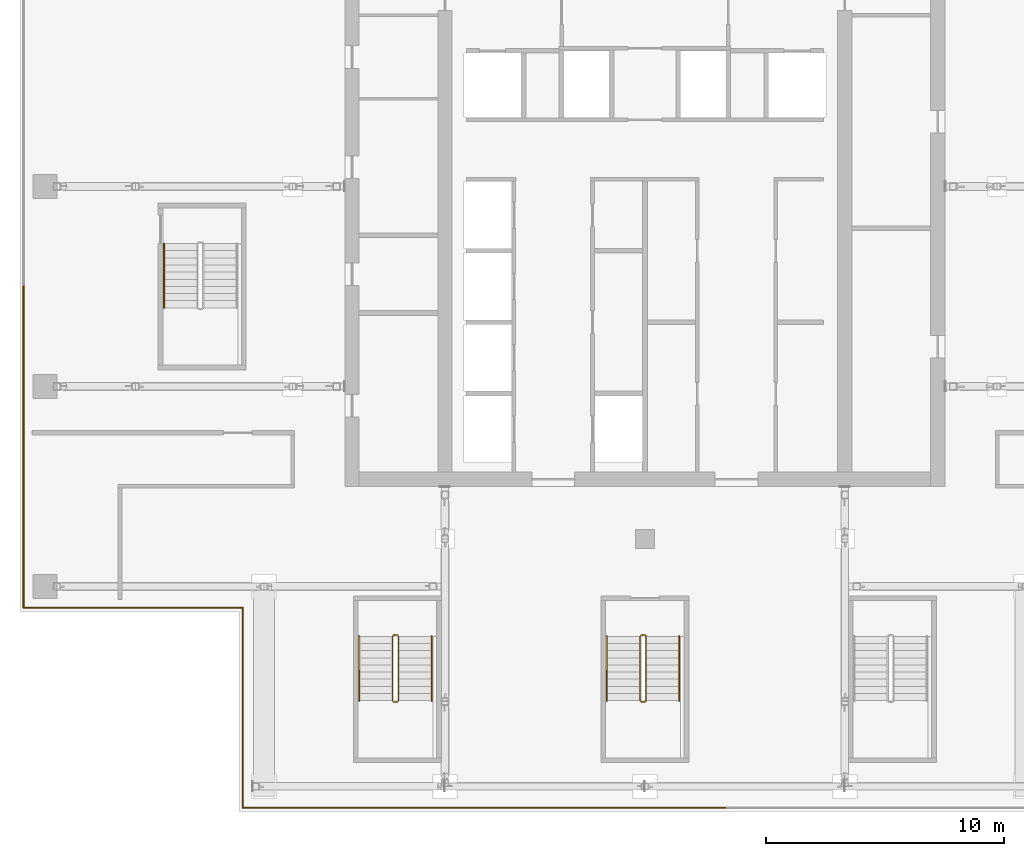
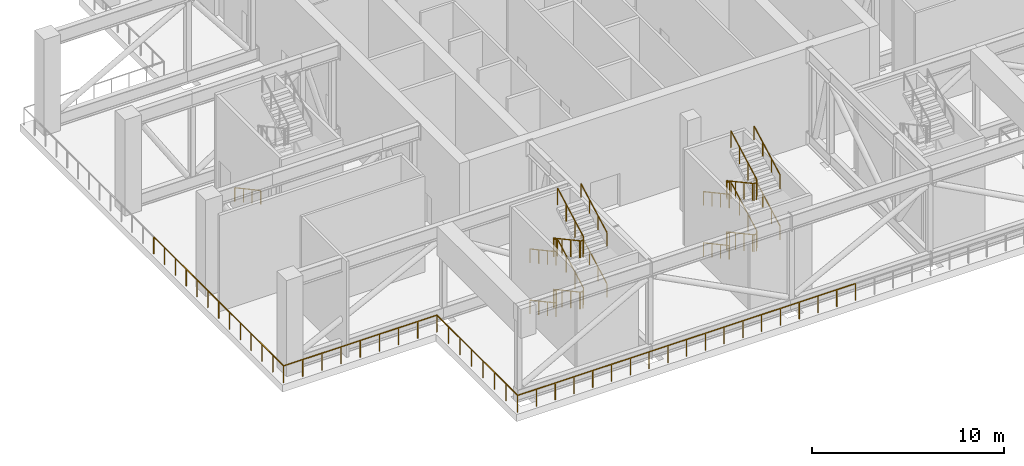
# One storey, part 21 of 24: 19 railings.
"""IFC4 building model written with IfcOpenShell, lengths in metres."""

from ifc_helpers import new_model, si_unit, direction, frame, origin, origin_2d, place, context, subcontext, project, spatial, rectangle, extrude, material, type_object, element, save


model = new_model("IFC4")

# Units and contexts
model_context = context("Model", 3, precision=1e-05, world=origin(), true_north=direction((0.0, 1.0)))
body_context = subcontext(model_context, "Body", "Model", "MODEL_VIEW")
ifc_project = project(units=[si_unit("LENGTHUNIT", "METRE"), si_unit("AREAUNIT", "SQUARE_METRE"), si_unit("VOLUMEUNIT", "CUBIC_METRE"), si_unit("PLANEANGLEUNIT", "RADIAN"), si_unit("MASSUNIT", "GRAM", prefix="KILO")], contexts=[model_context])

# Site, building, storey
site_placement = place(None, origin())
site = spatial("IfcSite", under=ifc_project, at=site_placement, CompositionType="ELEMENT")
building_placement = place(site_placement, origin())
building = spatial("IfcBuilding", under=site, at=building_placement, Name="Vermilion Ogive Tower", CompositionType="ELEMENT")
storey_placement = place(building_placement, frame((0.0, 0.0, 216.949951171875)))
storey = spatial("IfcBuildingStorey", under=building, at=storey_placement, Name="L57", CompositionType="ELEMENT", Elevation=216.949951171875)

# Railings
ifc_material_1 = material(Name="Stainless steel and glass", Category="steel")
railing_type_1 = type_object("IfcRailingType", Name="Edge guard", PredefinedType="GUARDRAIL", material=ifc_material_1)
railing_1_placement = place(storey_placement, frame((-16.89990234375, -21.89990234375, 0.0)))
element("IfcRailing", 1, at=railing_1_placement, inside=storey, type_object=railing_type_1, Name="Open edge guard L57 1.1", PredefinedType="GUARDRAIL", context=body_context, shape_type="SweptSolid", body=[
    extrude(rectangle(XDim=0.048095703125, YDim=0.048095703125, at=origin_2d()), frame((0.0, 0.0, 1.076171875), z_axis=(0.0, 1.0, 0.0), x_axis=(-1.0, 0.0, 0.0)), (0.0, 0.0, 1.0), 8.39990234375),
    extrude(rectangle(XDim=0.0419921875, YDim=0.0419921875, at=origin_2d()), origin(), (0.0, 0.0, 1.0), 1.052001953125),
    extrude(rectangle(XDim=0.0419921875, YDim=0.0419921875, at=origin_2d()), frame((0.0, 1.199951171875, 0.0)), (0.0, 0.0, 1.0), 1.052001953125),
    extrude(rectangle(XDim=0.0419921875, YDim=0.0419921875, at=origin_2d()), frame((0.0, 2.39990234375, 0.0)), (0.0, 0.0, 1.0), 1.052001953125),
    extrude(rectangle(XDim=0.0419921875, YDim=0.0419921875, at=origin_2d()), frame((0.0, 3.599853515625, 0.0)), (0.0, 0.0, 1.0), 1.052001953125),
    extrude(rectangle(XDim=0.0419921875, YDim=0.0419921875, at=origin_2d()), frame((0.0, 4.800048828125, 0.0)), (0.0, 0.0, 1.0), 1.052001953125),
    extrude(rectangle(XDim=0.0419921875, YDim=0.0419921875, at=origin_2d()), frame((0.0, 6.0, 0.0)), (0.0, 0.0, 1.0), 1.052001953125),
    extrude(rectangle(XDim=0.0419921875, YDim=0.0419921875, at=origin_2d()), frame((0.0, 7.199951171875, 0.0)), (0.0, 0.0, 1.0), 1.052001953125),
    extrude(rectangle(XDim=0.0419921875, YDim=0.0419921875, at=origin_2d()), frame((0.0, 8.39990234375, 0.0)), (0.0, 0.0, 1.0), 1.052001953125),
])
for number, where, name in (
    (2, (-16.89990234375, -13.5, 0.0), "Open edge guard L57 2.1"),
    (3, (-21.5, -13.5, 0.0), "Open edge guard L57 2.2"),
):
    element("IfcRailing", number, at=place(storey_placement, frame(where)), inside=storey, type_object=railing_type_1, Name=name, PredefinedType="GUARDRAIL", context=body_context, shape_type="SweptSolid", body=[
        extrude(rectangle(XDim=0.048095703125, YDim=0.048095703125, at=origin_2d()), frame((0.0, 0.0, 1.076171875), z_axis=(-1.0, 0.0, 0.0), x_axis=(0.0, -1.0, 0.0)), (0.0, 0.0, 1.0), 4.60009765625),
        extrude(rectangle(XDim=0.0419921875, YDim=0.0419921875, at=origin_2d()), origin(), (0.0, 0.0, 1.0), 1.052001953125),
        extrude(rectangle(XDim=0.0419921875, YDim=0.0419921875, at=origin_2d()), frame((-1.14990234375, 0.0, 0.0)), (0.0, 0.0, 1.0), 1.052001953125),
        extrude(rectangle(XDim=0.0419921875, YDim=0.0419921875, at=origin_2d()), frame((-2.300048828125, 0.0, 0.0)), (0.0, 0.0, 1.0), 1.052001953125),
        extrude(rectangle(XDim=0.0419921875, YDim=0.0419921875, at=origin_2d()), frame((-3.4501953125, 0.0, 0.0)), (0.0, 0.0, 1.0), 1.052001953125),
        extrude(rectangle(XDim=0.0419921875, YDim=0.0419921875, at=origin_2d()), frame((-4.60009765625, 0.0, 0.0)), (0.0, 0.0, 1.0), 1.052001953125),
    ])
for number, where, name in (
    (4, (-26.10009765625, -13.5, 0.0), "Open edge guard L57 3.1"),
    (5, (-26.10009765625, -6.75, 0.0), "Open edge guard L57 3.2"),
):
    element("IfcRailing", number, at=place(storey_placement, frame(where)), inside=storey, type_object=railing_type_1, Name=name, PredefinedType="GUARDRAIL", context=body_context, shape_type="SweptSolid", body=[
        extrude(rectangle(XDim=0.048095703125, YDim=0.048095703125, at=origin_2d()), frame((0.0, 0.0, 1.076171875), z_axis=(0.0, 1.0, 0.0), x_axis=(-1.0, 0.0, 0.0)), (0.0, 0.0, 1.0), 6.75),
        extrude(rectangle(XDim=0.0419921875, YDim=0.0419921875, at=origin_2d()), origin(), (0.0, 0.0, 1.0), 1.052001953125),
        extrude(rectangle(XDim=0.0419921875, YDim=0.0419921875, at=origin_2d()), frame((0.0, 1.125, 0.0)), (0.0, 0.0, 1.0), 1.052001953125),
        extrude(rectangle(XDim=0.0419921875, YDim=0.0419921875, at=origin_2d()), frame((0.0, 2.25, 0.0)), (0.0, 0.0, 1.0), 1.052001953125),
        extrude(rectangle(XDim=0.0419921875, YDim=0.0419921875, at=origin_2d()), frame((0.0, 3.375, 0.0)), (0.0, 0.0, 1.0), 1.052001953125),
        extrude(rectangle(XDim=0.0419921875, YDim=0.0419921875, at=origin_2d()), frame((0.0, 4.5, 0.0)), (0.0, 0.0, 1.0), 1.052001953125),
        extrude(rectangle(XDim=0.0419921875, YDim=0.0419921875, at=origin_2d()), frame((0.0, 5.625, 0.0)), (0.0, 0.0, 1.0), 1.052001953125),
        extrude(rectangle(XDim=0.0419921875, YDim=0.0419921875, at=origin_2d()), frame((0.0, 6.75, 0.0)), (0.0, 0.0, 1.0), 1.052001953125),
    ])
railing_2_placement = place(storey_placement, frame((3.3798828125, -21.89990234375, 0.0)))
element("IfcRailing", 6, at=railing_2_placement, inside=storey, type_object=railing_type_1, Name="Open edge guard L57 12.3", PredefinedType="GUARDRAIL", context=body_context, shape_type="SweptSolid", body=[
    extrude(rectangle(XDim=0.048095703125, YDim=0.048095703125, at=origin_2d()), frame((0.0, 0.0, 1.076171875), z_axis=(-1.0, 0.0, 0.0), x_axis=(0.0, -1.0, 0.0)), (0.0, 0.0, 1.0), 6.759765625),
    extrude(rectangle(XDim=0.0419921875, YDim=0.0419921875, at=origin_2d()), origin(), (0.0, 0.0, 1.0), 1.052001953125),
    extrude(rectangle(XDim=0.0419921875, YDim=0.0419921875, at=origin_2d()), frame((-1.126708984375, 0.0, 0.0)), (0.0, 0.0, 1.0), 1.052001953125),
    extrude(rectangle(XDim=0.0419921875, YDim=0.0419921875, at=origin_2d()), frame((-2.253173828125, 0.0, 0.0)), (0.0, 0.0, 1.0), 1.052001953125),
    extrude(rectangle(XDim=0.0419921875, YDim=0.0419921875, at=origin_2d()), frame((-3.3798828125, 0.0, 0.0)), (0.0, 0.0, 1.0), 1.052001953125),
    extrude(rectangle(XDim=0.0419921875, YDim=0.0419921875, at=origin_2d()), frame((-4.506591796875, 0.0, 0.0)), (0.0, 0.0, 1.0), 1.052001953125),
    extrude(rectangle(XDim=0.0419921875, YDim=0.0419921875, at=origin_2d()), frame((-5.633056640625, 0.0, 0.0)), (0.0, 0.0, 1.0), 1.052001953125),
    extrude(rectangle(XDim=0.0419921875, YDim=0.0419921875, at=origin_2d()), frame((-6.759765625, 0.0, 0.0)), (0.0, 0.0, 1.0), 1.052001953125),
])
for number, where, name in (
    (7, (-3.3798828125, -21.89990234375, 0.0), "Open edge guard L57 12.4"),
    (8, (-10.139892578125, -21.89990234375, 0.0), "Open edge guard L57 12.5"),
):
    element("IfcRailing", number, at=place(storey_placement, frame(where)), inside=storey, type_object=railing_type_1, Name=name, PredefinedType="GUARDRAIL", context=body_context, shape_type="SweptSolid", body=[
        extrude(rectangle(XDim=0.048095703125, YDim=0.048095703125, at=origin_2d()), frame((0.0, 0.0, 1.076171875), z_axis=(-1.0, 0.0, 0.0), x_axis=(0.0, -1.0, 0.0)), (0.0, 0.0, 1.0), 6.760009765625),
        extrude(rectangle(XDim=0.0419921875, YDim=0.0419921875, at=origin_2d()), origin(), (0.0, 0.0, 1.0), 1.052001953125),
        extrude(rectangle(XDim=0.0419921875, YDim=0.0419921875, at=origin_2d()), frame((-1.126708984375, 0.0, 0.0)), (0.0, 0.0, 1.0), 1.052001953125),
        extrude(rectangle(XDim=0.0419921875, YDim=0.0419921875, at=origin_2d()), frame((-2.25341796875, 0.0, 0.0)), (0.0, 0.0, 1.0), 1.052001953125),
        extrude(rectangle(XDim=0.0419921875, YDim=0.0419921875, at=origin_2d()), frame((-3.3798828125, 0.0, 0.0)), (0.0, 0.0, 1.0), 1.052001953125),
        extrude(rectangle(XDim=0.0419921875, YDim=0.0419921875, at=origin_2d()), frame((-4.506591796875, 0.0, 0.0)), (0.0, 0.0, 1.0), 1.052001953125),
        extrude(rectangle(XDim=0.0419921875, YDim=0.0419921875, at=origin_2d()), frame((-5.63330078125, 0.0, 0.0)), (0.0, 0.0, 1.0), 1.052001953125),
        extrude(rectangle(XDim=0.0419921875, YDim=0.0419921875, at=origin_2d()), frame((-6.760009765625, 0.0, 0.0)), (0.0, 0.0, 1.0), 1.052001953125),
    ])
ifc_material_2 = material(Name="Steel S355 painted", Category="steel")
railing_type_2 = type_object("IfcRailingType", Name="Stair guard 1100", PredefinedType="GUARDRAIL", material=ifc_material_2)
railing_3_placement = place(storey_placement, frame((-10.39990234375, -14.64990234375, 0.0)))
element("IfcRailing", 9, at=railing_3_placement, inside=storey, type_object=railing_type_2, Name="L57 ST3 stair guard 8", PredefinedType="GUARDRAIL", context=body_context, shape_type="SweptSolid", body=[
    extrude(rectangle(XDim=0.048095703125, YDim=0.048095703125, at=origin_2d()), frame((0.0, 0.0, 1.076171875), z_axis=(-1.0, 0.0, 0.0), x_axis=(0.0, -1.0, 0.0)), (0.0, 0.0, 1.0), 0.150146484375),
    extrude(rectangle(XDim=0.048095703125, YDim=0.048095703125, at=origin_2d()), frame((-0.150146484375, 0.0, 1.076171875), z_axis=(-0.282227285176, -0.282227285176, 0.916894497205), x_axis=(0.707106781187, -0.707106781187, 0.0)), (0.0, 0.0, 1.0), 0.17724609375),
    extrude(rectangle(XDim=0.048095703125, YDim=0.048095703125, at=origin_2d()), frame((-0.2001953125, -0.050048828125, 1.23876953125), z_axis=(0.0, -0.87930167832, 0.476265218658), x_axis=(1.0, 0.0, 0.0)), (0.0, 0.0, 1.0), 3.070556640625),
    extrude(rectangle(XDim=0.048095703125, YDim=0.048095703125, at=origin_2d()), frame((-0.2001953125, -2.75, 2.701171875), z_axis=(0.707106781187, -0.707106781187, 0.0), x_axis=(0.707106781187, 0.707106781187, 0.0)), (0.0, 0.0, 1.0), 0.07080078125),
    extrude(rectangle(XDim=0.048095703125, YDim=0.048095703125, at=origin_2d()), frame((-0.150146484375, -2.800048828125, 2.701171875), z_axis=(1.0, 0.0, 0.0), x_axis=(0.0, 1.0, 0.0)), (0.0, 0.0, 1.0), 0.150146484375),
    extrude(rectangle(XDim=0.048095703125, YDim=0.048095703125, at=origin_2d()), frame((0.0, -2.800048828125, 2.701171875), z_axis=(0.280959487676, 0.282336740067, 0.917250092119), x_axis=(-0.708833529934, 0.705375805398, 0.0)), (0.0, 0.0, 1.0), 0.17724609375),
    extrude(rectangle(XDim=0.048095703125, YDim=0.048095703125, at=origin_2d()), frame((0.0498046875, -2.75, 2.86376953125), z_axis=(0.0, 0.87930167832, 0.476265218658), x_axis=(-1.0, 0.0, 0.0)), (0.0, 0.0, 1.0), 3.070556640625),
    extrude(rectangle(XDim=0.048095703125, YDim=0.048095703125, at=origin_2d()), frame((0.0498046875, -0.050048828125, 4.326171875), z_axis=(-0.705375805398, 0.708833529934, 0.0), x_axis=(-0.708833529934, -0.705375805398, 0.0)), (0.0, 0.0, 1.0), 0.070556640625),
    extrude(rectangle(XDim=0.048095703125, YDim=0.048095703125, at=origin_2d()), frame((0.0, 0.0, 4.326171875), z_axis=(-1.0, 0.0, 0.0), x_axis=(0.0, -1.0, 0.0)), (0.0, 0.0, 1.0), 0.150146484375),
    extrude(rectangle(XDim=0.048095703125, YDim=0.048095703125, at=origin_2d()), frame((-0.150146484375, 0.0, 4.326171875), z_axis=(-0.282227285176, -0.282227285176, 0.916894497205), x_axis=(0.707106781187, -0.707106781187, 0.0)), (0.0, 0.0, 1.0), 0.17724609375),
    extrude(rectangle(XDim=0.048095703125, YDim=0.048095703125, at=origin_2d()), frame((-0.2001953125, -0.050048828125, 4.48876953125), z_axis=(0.0, -0.87930167832, 0.476265218658), x_axis=(1.0, 0.0, 0.0)), (0.0, 0.0, 1.0), 3.070556640625),
    extrude(rectangle(XDim=0.048095703125, YDim=0.048095703125, at=origin_2d()), frame((-0.2001953125, -2.75, 5.951171875), z_axis=(0.707106781187, -0.707106781187, 0.0), x_axis=(0.707106781187, 0.707106781187, 0.0)), (0.0, 0.0, 1.0), 0.07080078125),
    extrude(rectangle(XDim=0.048095703125, YDim=0.048095703125, at=origin_2d()), frame((-0.150146484375, -2.800048828125, 5.951171875), z_axis=(1.0, 0.0, 0.0), x_axis=(0.0, 1.0, 0.0)), (0.0, 0.0, 1.0), 0.150146484375),
    extrude(rectangle(XDim=0.048095703125, YDim=0.048095703125, at=origin_2d()), frame((0.0, -2.800048828125, 5.951171875), z_axis=(0.280959487676, 0.282336740067, 0.917250092119), x_axis=(-0.708833529934, 0.705375805398, 0.0)), (0.0, 0.0, 1.0), 0.17724609375),
    extrude(rectangle(XDim=0.048095703125, YDim=0.048095703125, at=origin_2d()), frame((0.0498046875, -2.75, 6.11376953125), z_axis=(0.0, 0.87930167832, 0.476265218658), x_axis=(-1.0, 0.0, 0.0)), (0.0, 0.0, 1.0), 3.070556640625),
    extrude(rectangle(XDim=0.0419921875, YDim=0.0419921875, at=origin_2d()), origin(), (0.0, 0.0, 1.0), 1.052001953125),
    extrude(rectangle(XDim=0.0419921875, YDim=0.0419921875, at=origin_2d()), frame((-0.150146484375, 0.0, 0.0)), (0.0, 0.0, 1.0), 1.052001953125),
    extrude(rectangle(XDim=0.0419921875, YDim=0.0419921875, at=origin_2d()), frame((-0.2001953125, -0.050048828125, 0.16259765625)), (0.0, 0.0, 1.0), 1.052001953125),
    extrude(rectangle(XDim=0.0419921875, YDim=0.0419921875, at=origin_2d()), frame((-0.2001953125, -0.949951171875, 0.650146484375)), (0.0, 0.0, 1.0), 1.052001953125),
    extrude(rectangle(XDim=0.0419921875, YDim=0.0419921875, at=origin_2d()), frame((-0.2001953125, -1.85009765625, 1.137451171875)), (0.0, 0.0, 1.0), 1.052001953125),
    extrude(rectangle(XDim=0.0419921875, YDim=0.0419921875, at=origin_2d()), frame((-0.2001953125, -2.75, 1.625)), (0.0, 0.0, 1.0), 1.052001953125),
    extrude(rectangle(XDim=0.0419921875, YDim=0.0419921875, at=origin_2d()), frame((-0.150146484375, -2.800048828125, 1.625)), (0.0, 0.0, 1.0), 1.052001953125),
    extrude(rectangle(XDim=0.0419921875, YDim=0.0419921875, at=origin_2d()), frame((0.0, -2.800048828125, 1.625)), (0.0, 0.0, 1.0), 1.052001953125),
    extrude(rectangle(XDim=0.0419921875, YDim=0.0419921875, at=origin_2d()), frame((0.0498046875, -2.75, 1.78759765625)), (0.0, 0.0, 1.0), 1.052001953125),
    extrude(rectangle(XDim=0.0419921875, YDim=0.0419921875, at=origin_2d()), frame((0.0498046875, -1.85009765625, 2.275146484375)), (0.0, 0.0, 1.0), 1.052001953125),
    extrude(rectangle(XDim=0.0419921875, YDim=0.0419921875, at=origin_2d()), frame((0.0498046875, -0.949951171875, 2.762451171875)), (0.0, 0.0, 1.0), 1.052001953125),
    extrude(rectangle(XDim=0.0419921875, YDim=0.0419921875, at=origin_2d()), frame((0.0498046875, -0.050048828125, 3.25)), (0.0, 0.0, 1.0), 1.052001953125),
    extrude(rectangle(XDim=0.0419921875, YDim=0.0419921875, at=origin_2d()), frame((0.0, 0.0, 3.25)), (0.0, 0.0, 1.0), 1.052001953125),
    extrude(rectangle(XDim=0.0419921875, YDim=0.0419921875, at=origin_2d()), frame((-0.150146484375, 0.0, 3.25)), (0.0, 0.0, 1.0), 1.052001953125),
    extrude(rectangle(XDim=0.0419921875, YDim=0.0419921875, at=origin_2d()), frame((-0.2001953125, -0.050048828125, 3.41259765625)), (0.0, 0.0, 1.0), 1.052001953125),
    extrude(rectangle(XDim=0.0419921875, YDim=0.0419921875, at=origin_2d()), frame((-0.2001953125, -0.949951171875, 3.900146484375)), (0.0, 0.0, 1.0), 1.052001953125),
    extrude(rectangle(XDim=0.0419921875, YDim=0.0419921875, at=origin_2d()), frame((-0.2001953125, -1.85009765625, 4.387451171875)), (0.0, 0.0, 1.0), 1.052001953125),
    extrude(rectangle(XDim=0.0419921875, YDim=0.0419921875, at=origin_2d()), frame((-0.2001953125, -2.75, 4.875)), (0.0, 0.0, 1.0), 1.052001953125),
    extrude(rectangle(XDim=0.0419921875, YDim=0.0419921875, at=origin_2d()), frame((-0.150146484375, -2.800048828125, 4.875)), (0.0, 0.0, 1.0), 1.052001953125),
    extrude(rectangle(XDim=0.0419921875, YDim=0.0419921875, at=origin_2d()), frame((0.0, -2.800048828125, 4.875)), (0.0, 0.0, 1.0), 1.052001953125),
    extrude(rectangle(XDim=0.0419921875, YDim=0.0419921875, at=origin_2d()), frame((0.0498046875, -2.75, 5.03759765625)), (0.0, 0.0, 1.0), 1.052001953125),
    extrude(rectangle(XDim=0.0419921875, YDim=0.0419921875, at=origin_2d()), frame((0.0498046875, -1.85009765625, 5.525146484375)), (0.0, 0.0, 1.0), 1.052001953125),
    extrude(rectangle(XDim=0.0419921875, YDim=0.0419921875, at=origin_2d()), frame((0.0498046875, -0.949951171875, 6.012451171875)), (0.0, 0.0, 1.0), 1.052001953125),
    extrude(rectangle(XDim=0.0419921875, YDim=0.0419921875, at=origin_2d()), frame((0.0498046875, -0.050048828125, 6.5)), (0.0, 0.0, 1.0), 1.052001953125),
])
railing_4_placement = place(storey_placement, frame((0.0, -14.64990234375, 0.0)))
element("IfcRailing", 10, at=railing_4_placement, inside=storey, type_object=railing_type_2, Name="L57 ST4 stair guard 8", PredefinedType="GUARDRAIL", context=body_context, shape_type="SweptSolid", body=[
    extrude(rectangle(XDim=0.048095703125, YDim=0.048095703125, at=origin_2d()), frame((0.0, 0.0, 1.076171875), z_axis=(-1.0, 0.0, 0.0), x_axis=(0.0, -1.0, 0.0)), (0.0, 0.0, 1.0), 0.14990234375),
    extrude(rectangle(XDim=0.048095703125, YDim=0.048095703125, at=origin_2d()), frame((-0.14990234375, 0.0, 1.076171875), z_axis=(-0.282227285176, -0.282227285176, 0.916894497205), x_axis=(0.707106781187, -0.707106781187, 0.0)), (0.0, 0.0, 1.0), 0.17724609375),
    extrude(rectangle(XDim=0.048095703125, YDim=0.048095703125, at=origin_2d()), frame((-0.199951171875, -0.050048828125, 1.23876953125), z_axis=(0.0, -0.87930167832, 0.476265218658), x_axis=(1.0, 0.0, 0.0)), (0.0, 0.0, 1.0), 3.070556640625),
    extrude(rectangle(XDim=0.048095703125, YDim=0.048095703125, at=origin_2d()), frame((-0.199951171875, -2.75, 2.701171875), z_axis=(0.707106781187, -0.707106781187, 0.0), x_axis=(0.707106781187, 0.707106781187, 0.0)), (0.0, 0.0, 1.0), 0.07080078125),
    extrude(rectangle(XDim=0.048095703125, YDim=0.048095703125, at=origin_2d()), frame((-0.14990234375, -2.800048828125, 2.701171875), z_axis=(1.0, 0.0, 0.0), x_axis=(0.0, 1.0, 0.0)), (0.0, 0.0, 1.0), 0.14990234375),
    extrude(rectangle(XDim=0.048095703125, YDim=0.048095703125, at=origin_2d()), frame((0.0, -2.800048828125, 2.701171875), z_axis=(0.282227285176, 0.282227285176, 0.916894497205), x_axis=(-0.707106781187, 0.707106781187, 0.0)), (0.0, 0.0, 1.0), 0.17724609375),
    extrude(rectangle(XDim=0.048095703125, YDim=0.048095703125, at=origin_2d()), frame((0.050048828125, -2.75, 2.86376953125), z_axis=(0.0, 0.87930167832, 0.476265218658), x_axis=(-1.0, 0.0, 0.0)), (0.0, 0.0, 1.0), 3.070556640625),
    extrude(rectangle(XDim=0.048095703125, YDim=0.048095703125, at=origin_2d()), frame((0.050048828125, -0.050048828125, 4.326171875), z_axis=(-0.707106781187, 0.707106781187, 0.0), x_axis=(-0.707106781187, -0.707106781187, 0.0)), (0.0, 0.0, 1.0), 0.07080078125),
    extrude(rectangle(XDim=0.048095703125, YDim=0.048095703125, at=origin_2d()), frame((0.0, 0.0, 4.326171875), z_axis=(-1.0, 0.0, 0.0), x_axis=(0.0, -1.0, 0.0)), (0.0, 0.0, 1.0), 0.14990234375),
    extrude(rectangle(XDim=0.048095703125, YDim=0.048095703125, at=origin_2d()), frame((-0.14990234375, 0.0, 4.326171875), z_axis=(-0.282227285176, -0.282227285176, 0.916894497205), x_axis=(0.707106781187, -0.707106781187, 0.0)), (0.0, 0.0, 1.0), 0.17724609375),
    extrude(rectangle(XDim=0.048095703125, YDim=0.048095703125, at=origin_2d()), frame((-0.199951171875, -0.050048828125, 4.48876953125), z_axis=(0.0, -0.87930167832, 0.476265218658), x_axis=(1.0, 0.0, 0.0)), (0.0, 0.0, 1.0), 3.070556640625),
    extrude(rectangle(XDim=0.048095703125, YDim=0.048095703125, at=origin_2d()), frame((-0.199951171875, -2.75, 5.951171875), z_axis=(0.707106781187, -0.707106781187, 0.0), x_axis=(0.707106781187, 0.707106781187, 0.0)), (0.0, 0.0, 1.0), 0.07080078125),
    extrude(rectangle(XDim=0.048095703125, YDim=0.048095703125, at=origin_2d()), frame((-0.14990234375, -2.800048828125, 5.951171875), z_axis=(1.0, 0.0, 0.0), x_axis=(0.0, 1.0, 0.0)), (0.0, 0.0, 1.0), 0.14990234375),
    extrude(rectangle(XDim=0.048095703125, YDim=0.048095703125, at=origin_2d()), frame((0.0, -2.800048828125, 5.951171875), z_axis=(0.282227285176, 0.282227285176, 0.916894497205), x_axis=(-0.707106781187, 0.707106781187, 0.0)), (0.0, 0.0, 1.0), 0.17724609375),
    extrude(rectangle(XDim=0.048095703125, YDim=0.048095703125, at=origin_2d()), frame((0.050048828125, -2.75, 6.11376953125), z_axis=(0.0, 0.87930167832, 0.476265218658), x_axis=(-1.0, 0.0, 0.0)), (0.0, 0.0, 1.0), 3.070556640625),
    extrude(rectangle(XDim=0.0419921875, YDim=0.0419921875, at=origin_2d()), origin(), (0.0, 0.0, 1.0), 1.052001953125),
    extrude(rectangle(XDim=0.0419921875, YDim=0.0419921875, at=origin_2d()), frame((-0.14990234375, 0.0, 0.0)), (0.0, 0.0, 1.0), 1.052001953125),
    extrude(rectangle(XDim=0.0419921875, YDim=0.0419921875, at=origin_2d()), frame((-0.199951171875, -0.050048828125, 0.16259765625)), (0.0, 0.0, 1.0), 1.052001953125),
    extrude(rectangle(XDim=0.0419921875, YDim=0.0419921875, at=origin_2d()), frame((-0.199951171875, -0.949951171875, 0.650146484375)), (0.0, 0.0, 1.0), 1.052001953125),
    extrude(rectangle(XDim=0.0419921875, YDim=0.0419921875, at=origin_2d()), frame((-0.199951171875, -1.85009765625, 1.137451171875)), (0.0, 0.0, 1.0), 1.052001953125),
    extrude(rectangle(XDim=0.0419921875, YDim=0.0419921875, at=origin_2d()), frame((-0.199951171875, -2.75, 1.625)), (0.0, 0.0, 1.0), 1.052001953125),
    extrude(rectangle(XDim=0.0419921875, YDim=0.0419921875, at=origin_2d()), frame((-0.14990234375, -2.800048828125, 1.625)), (0.0, 0.0, 1.0), 1.052001953125),
    extrude(rectangle(XDim=0.0419921875, YDim=0.0419921875, at=origin_2d()), frame((0.0, -2.800048828125, 1.625)), (0.0, 0.0, 1.0), 1.052001953125),
    extrude(rectangle(XDim=0.0419921875, YDim=0.0419921875, at=origin_2d()), frame((0.050048828125, -2.75, 1.78759765625)), (0.0, 0.0, 1.0), 1.052001953125),
    extrude(rectangle(XDim=0.0419921875, YDim=0.0419921875, at=origin_2d()), frame((0.050048828125, -1.85009765625, 2.275146484375)), (0.0, 0.0, 1.0), 1.052001953125),
    extrude(rectangle(XDim=0.0419921875, YDim=0.0419921875, at=origin_2d()), frame((0.050048828125, -0.949951171875, 2.762451171875)), (0.0, 0.0, 1.0), 1.052001953125),
    extrude(rectangle(XDim=0.0419921875, YDim=0.0419921875, at=origin_2d()), frame((0.050048828125, -0.050048828125, 3.25)), (0.0, 0.0, 1.0), 1.052001953125),
    extrude(rectangle(XDim=0.0419921875, YDim=0.0419921875, at=origin_2d()), frame((0.0, 0.0, 3.25)), (0.0, 0.0, 1.0), 1.052001953125),
    extrude(rectangle(XDim=0.0419921875, YDim=0.0419921875, at=origin_2d()), frame((-0.14990234375, 0.0, 3.25)), (0.0, 0.0, 1.0), 1.052001953125),
    extrude(rectangle(XDim=0.0419921875, YDim=0.0419921875, at=origin_2d()), frame((-0.199951171875, -0.050048828125, 3.41259765625)), (0.0, 0.0, 1.0), 1.052001953125),
    extrude(rectangle(XDim=0.0419921875, YDim=0.0419921875, at=origin_2d()), frame((-0.199951171875, -0.949951171875, 3.900146484375)), (0.0, 0.0, 1.0), 1.052001953125),
    extrude(rectangle(XDim=0.0419921875, YDim=0.0419921875, at=origin_2d()), frame((-0.199951171875, -1.85009765625, 4.387451171875)), (0.0, 0.0, 1.0), 1.052001953125),
    extrude(rectangle(XDim=0.0419921875, YDim=0.0419921875, at=origin_2d()), frame((-0.199951171875, -2.75, 4.875)), (0.0, 0.0, 1.0), 1.052001953125),
    extrude(rectangle(XDim=0.0419921875, YDim=0.0419921875, at=origin_2d()), frame((-0.14990234375, -2.800048828125, 4.875)), (0.0, 0.0, 1.0), 1.052001953125),
    extrude(rectangle(XDim=0.0419921875, YDim=0.0419921875, at=origin_2d()), frame((0.0, -2.800048828125, 4.875)), (0.0, 0.0, 1.0), 1.052001953125),
    extrude(rectangle(XDim=0.0419921875, YDim=0.0419921875, at=origin_2d()), frame((0.050048828125, -2.75, 5.03759765625)), (0.0, 0.0, 1.0), 1.052001953125),
    extrude(rectangle(XDim=0.0419921875, YDim=0.0419921875, at=origin_2d()), frame((0.050048828125, -1.85009765625, 5.525146484375)), (0.0, 0.0, 1.0), 1.052001953125),
    extrude(rectangle(XDim=0.0419921875, YDim=0.0419921875, at=origin_2d()), frame((0.050048828125, -0.949951171875, 6.012451171875)), (0.0, 0.0, 1.0), 1.052001953125),
    extrude(rectangle(XDim=0.0419921875, YDim=0.0419921875, at=origin_2d()), frame((0.050048828125, -0.050048828125, 6.5)), (0.0, 0.0, 1.0), 1.052001953125),
])
ifc_material_3 = material(Name="Stainless steel", Category="steel")
railing_type_3 = type_object("IfcRailingType", Name="Stair handrail 900", PredefinedType="HANDRAIL", material=ifc_material_3)
railing_5_placement = place(storey_placement, frame((-12.0, -14.699951171875, 0.16259765625)))
element("IfcRailing", 11, at=railing_5_placement, inside=storey, type_object=railing_type_3, Name="L57 ST3 stair handrail 1", PredefinedType="HANDRAIL", context=body_context, shape_type="SweptSolid", body=[
    extrude(rectangle(XDim=0.048095703125, YDim=0.048095703125, at=origin_2d()), frame((0.0, 0.0, 0.8759765625), z_axis=(0.0, -0.87930167832, 0.476265218658), x_axis=(1.0, 0.0, 0.0)), (0.0, 0.0, 1.0), 3.070556640625),
    extrude(rectangle(XDim=0.0419921875, YDim=0.0419921875, at=origin_2d()), origin(), (0.0, 0.0, 1.0), 0.851806640625),
    extrude(rectangle(XDim=0.0419921875, YDim=0.0419921875, at=origin_2d()), frame((0.0, -0.89990234375, 0.487548828125)), (0.0, 0.0, 1.0), 0.851806640625),
    extrude(rectangle(XDim=0.0419921875, YDim=0.0419921875, at=origin_2d()), frame((0.0, -1.800048828125, 0.974853515625)), (0.0, 0.0, 1.0), 0.851806640625),
    extrude(rectangle(XDim=0.0419921875, YDim=0.0419921875, at=origin_2d()), frame((0.0, -2.699951171875, 1.46240234375)), (0.0, 0.0, 1.0), 0.851806640625),
])
railing_6_placement = place(storey_placement, frame((-8.949951171875, -17.39990234375, 1.78759765625)))
element("IfcRailing", 12, at=railing_6_placement, inside=storey, type_object=railing_type_3, Name="L57 ST3 stair handrail 2", PredefinedType="HANDRAIL", context=body_context, shape_type="SweptSolid", body=[
    extrude(rectangle(XDim=0.048095703125, YDim=0.048095703125, at=origin_2d()), frame((0.0, 0.0, 0.8759765625), z_axis=(0.0, 0.87930167832, 0.476265218658), x_axis=(-1.0, 0.0, 0.0)), (0.0, 0.0, 1.0), 3.070556640625),
    extrude(rectangle(XDim=0.0419921875, YDim=0.0419921875, at=origin_2d()), origin(), (0.0, 0.0, 1.0), 0.851806640625),
    extrude(rectangle(XDim=0.0419921875, YDim=0.0419921875, at=origin_2d()), frame((0.0, 0.89990234375, 0.487548828125)), (0.0, 0.0, 1.0), 0.851806640625),
    extrude(rectangle(XDim=0.0419921875, YDim=0.0419921875, at=origin_2d()), frame((0.0, 1.800048828125, 0.974853515625)), (0.0, 0.0, 1.0), 0.851806640625),
    extrude(rectangle(XDim=0.0419921875, YDim=0.0419921875, at=origin_2d()), frame((0.0, 2.699951171875, 1.46240234375)), (0.0, 0.0, 1.0), 0.851806640625),
])
railing_7_placement = place(storey_placement, frame((-12.0, -14.699951171875, 3.41259765625)))
element("IfcRailing", 13, at=railing_7_placement, inside=storey, type_object=railing_type_3, Name="L57 ST3 stair handrail 3", PredefinedType="HANDRAIL", context=body_context, shape_type="SweptSolid", body=[
    extrude(rectangle(XDim=0.048095703125, YDim=0.048095703125, at=origin_2d()), frame((0.0, 0.0, 0.8759765625), z_axis=(0.0, -0.87930167832, 0.476265218658), x_axis=(1.0, 0.0, 0.0)), (0.0, 0.0, 1.0), 3.070556640625),
    extrude(rectangle(XDim=0.0419921875, YDim=0.0419921875, at=origin_2d()), origin(), (0.0, 0.0, 1.0), 0.851806640625),
    extrude(rectangle(XDim=0.0419921875, YDim=0.0419921875, at=origin_2d()), frame((0.0, -0.89990234375, 0.487548828125)), (0.0, 0.0, 1.0), 0.851806640625),
    extrude(rectangle(XDim=0.0419921875, YDim=0.0419921875, at=origin_2d()), frame((0.0, -1.800048828125, 0.974853515625)), (0.0, 0.0, 1.0), 0.851806640625),
    extrude(rectangle(XDim=0.0419921875, YDim=0.0419921875, at=origin_2d()), frame((0.0, -2.699951171875, 1.46240234375)), (0.0, 0.0, 1.0), 0.851806640625),
])
railing_8_placement = place(storey_placement, frame((-8.949951171875, -17.39990234375, 5.03759765625)))
element("IfcRailing", 14, at=railing_8_placement, inside=storey, type_object=railing_type_3, Name="L57 ST3 stair handrail 4", PredefinedType="HANDRAIL", context=body_context, shape_type="SweptSolid", body=[
    extrude(rectangle(XDim=0.048095703125, YDim=0.048095703125, at=origin_2d()), frame((0.0, 0.0, 0.8759765625), z_axis=(0.0, 0.87930167832, 0.476265218658), x_axis=(-1.0, 0.0, 0.0)), (0.0, 0.0, 1.0), 3.070556640625),
    extrude(rectangle(XDim=0.0419921875, YDim=0.0419921875, at=origin_2d()), origin(), (0.0, 0.0, 1.0), 0.851806640625),
    extrude(rectangle(XDim=0.0419921875, YDim=0.0419921875, at=origin_2d()), frame((0.0, 0.89990234375, 0.487548828125)), (0.0, 0.0, 1.0), 0.851806640625),
    extrude(rectangle(XDim=0.0419921875, YDim=0.0419921875, at=origin_2d()), frame((0.0, 1.800048828125, 0.974853515625)), (0.0, 0.0, 1.0), 0.851806640625),
    extrude(rectangle(XDim=0.0419921875, YDim=0.0419921875, at=origin_2d()), frame((0.0, 2.699951171875, 1.46240234375)), (0.0, 0.0, 1.0), 0.851806640625),
])
railing_9_placement = place(storey_placement, frame((-1.60009765625, -14.699951171875, 0.16259765625)))
element("IfcRailing", 15, at=railing_9_placement, inside=storey, type_object=railing_type_3, Name="L57 ST4 stair handrail 1", PredefinedType="HANDRAIL", context=body_context, shape_type="SweptSolid", body=[
    extrude(rectangle(XDim=0.048095703125, YDim=0.048095703125, at=origin_2d()), frame((0.0, 0.0, 0.8759765625), z_axis=(0.0, -0.87930167832, 0.476265218658), x_axis=(1.0, 0.0, 0.0)), (0.0, 0.0, 1.0), 3.070556640625),
    extrude(rectangle(XDim=0.0419921875, YDim=0.0419921875, at=origin_2d()), origin(), (0.0, 0.0, 1.0), 0.851806640625),
    extrude(rectangle(XDim=0.0419921875, YDim=0.0419921875, at=origin_2d()), frame((0.0, -0.89990234375, 0.487548828125)), (0.0, 0.0, 1.0), 0.851806640625),
    extrude(rectangle(XDim=0.0419921875, YDim=0.0419921875, at=origin_2d()), frame((0.0, -1.800048828125, 0.974853515625)), (0.0, 0.0, 1.0), 0.851806640625),
    extrude(rectangle(XDim=0.0419921875, YDim=0.0419921875, at=origin_2d()), frame((0.0, -2.699951171875, 1.46240234375)), (0.0, 0.0, 1.0), 0.851806640625),
])
railing_10_placement = place(storey_placement, frame((1.449951171875, -17.39990234375, 1.78759765625)))
element("IfcRailing", 16, at=railing_10_placement, inside=storey, type_object=railing_type_3, Name="L57 ST4 stair handrail 2", PredefinedType="HANDRAIL", context=body_context, shape_type="SweptSolid", body=[
    extrude(rectangle(XDim=0.048095703125, YDim=0.048095703125, at=origin_2d()), frame((0.0, 0.0, 0.8759765625), z_axis=(0.0, 0.87930167832, 0.476265218658), x_axis=(-1.0, 0.0, 0.0)), (0.0, 0.0, 1.0), 3.070556640625),
    extrude(rectangle(XDim=0.0419921875, YDim=0.0419921875, at=origin_2d()), origin(), (0.0, 0.0, 1.0), 0.851806640625),
    extrude(rectangle(XDim=0.0419921875, YDim=0.0419921875, at=origin_2d()), frame((0.0, 0.89990234375, 0.487548828125)), (0.0, 0.0, 1.0), 0.851806640625),
    extrude(rectangle(XDim=0.0419921875, YDim=0.0419921875, at=origin_2d()), frame((0.0, 1.800048828125, 0.974853515625)), (0.0, 0.0, 1.0), 0.851806640625),
    extrude(rectangle(XDim=0.0419921875, YDim=0.0419921875, at=origin_2d()), frame((0.0, 2.699951171875, 1.46240234375)), (0.0, 0.0, 1.0), 0.851806640625),
])
railing_11_placement = place(storey_placement, frame((-1.60009765625, -14.699951171875, 3.41259765625)))
element("IfcRailing", 17, at=railing_11_placement, inside=storey, type_object=railing_type_3, Name="L57 ST4 stair handrail 3", PredefinedType="HANDRAIL", context=body_context, shape_type="SweptSolid", body=[
    extrude(rectangle(XDim=0.048095703125, YDim=0.048095703125, at=origin_2d()), frame((0.0, 0.0, 0.8759765625), z_axis=(0.0, -0.87930167832, 0.476265218658), x_axis=(1.0, 0.0, 0.0)), (0.0, 0.0, 1.0), 3.070556640625),
    extrude(rectangle(XDim=0.0419921875, YDim=0.0419921875, at=origin_2d()), origin(), (0.0, 0.0, 1.0), 0.851806640625),
    extrude(rectangle(XDim=0.0419921875, YDim=0.0419921875, at=origin_2d()), frame((0.0, -0.89990234375, 0.487548828125)), (0.0, 0.0, 1.0), 0.851806640625),
    extrude(rectangle(XDim=0.0419921875, YDim=0.0419921875, at=origin_2d()), frame((0.0, -1.800048828125, 0.974853515625)), (0.0, 0.0, 1.0), 0.851806640625),
    extrude(rectangle(XDim=0.0419921875, YDim=0.0419921875, at=origin_2d()), frame((0.0, -2.699951171875, 1.46240234375)), (0.0, 0.0, 1.0), 0.851806640625),
])
railing_12_placement = place(storey_placement, frame((1.449951171875, -17.39990234375, 5.03759765625)))
element("IfcRailing", 18, at=railing_12_placement, inside=storey, type_object=railing_type_3, Name="L57 ST4 stair handrail 4", PredefinedType="HANDRAIL", context=body_context, shape_type="SweptSolid", body=[
    extrude(rectangle(XDim=0.048095703125, YDim=0.048095703125, at=origin_2d()), frame((0.0, 0.0, 0.8759765625), z_axis=(0.0, 0.87930167832, 0.476265218658), x_axis=(-1.0, 0.0, 0.0)), (0.0, 0.0, 1.0), 3.070556640625),
    extrude(rectangle(XDim=0.0419921875, YDim=0.0419921875, at=origin_2d()), origin(), (0.0, 0.0, 1.0), 0.851806640625),
    extrude(rectangle(XDim=0.0419921875, YDim=0.0419921875, at=origin_2d()), frame((0.0, 0.89990234375, 0.487548828125)), (0.0, 0.0, 1.0), 0.851806640625),
    extrude(rectangle(XDim=0.0419921875, YDim=0.0419921875, at=origin_2d()), frame((0.0, 1.800048828125, 0.974853515625)), (0.0, 0.0, 1.0), 0.851806640625),
    extrude(rectangle(XDim=0.0419921875, YDim=0.0419921875, at=origin_2d()), frame((0.0, 2.699951171875, 1.46240234375)), (0.0, 0.0, 1.0), 0.851806640625),
])
railing_13_placement = place(storey_placement, frame((-20.199951171875, 1.800048828125, 0.16259765625)))
element("IfcRailing", 19, at=railing_13_placement, inside=storey, type_object=railing_type_3, Name="L57 ST9 stair handrail 1", PredefinedType="HANDRAIL", context=body_context, shape_type="SweptSolid", body=[
    extrude(rectangle(XDim=0.048095703125, YDim=0.048095703125, at=origin_2d()), frame((0.0, 0.0, 0.8759765625), z_axis=(0.0, -0.87930167832, 0.476265218658), x_axis=(1.0, 0.0, 0.0)), (0.0, 0.0, 1.0), 3.070556640625),
    extrude(rectangle(XDim=0.0419921875, YDim=0.0419921875, at=origin_2d()), origin(), (0.0, 0.0, 1.0), 0.851806640625),
    extrude(rectangle(XDim=0.0419921875, YDim=0.0419921875, at=origin_2d()), frame((0.0, -0.89990234375, 0.487548828125)), (0.0, 0.0, 1.0), 0.851806640625),
    extrude(rectangle(XDim=0.0419921875, YDim=0.0419921875, at=origin_2d()), frame((0.0, -1.800048828125, 0.974853515625)), (0.0, 0.0, 1.0), 0.851806640625),
    extrude(rectangle(XDim=0.0419921875, YDim=0.0419921875, at=origin_2d()), frame((0.0, -2.699951171875, 1.46240234375)), (0.0, 0.0, 1.0), 0.851806640625),
])

save(model, "model.ifc")
